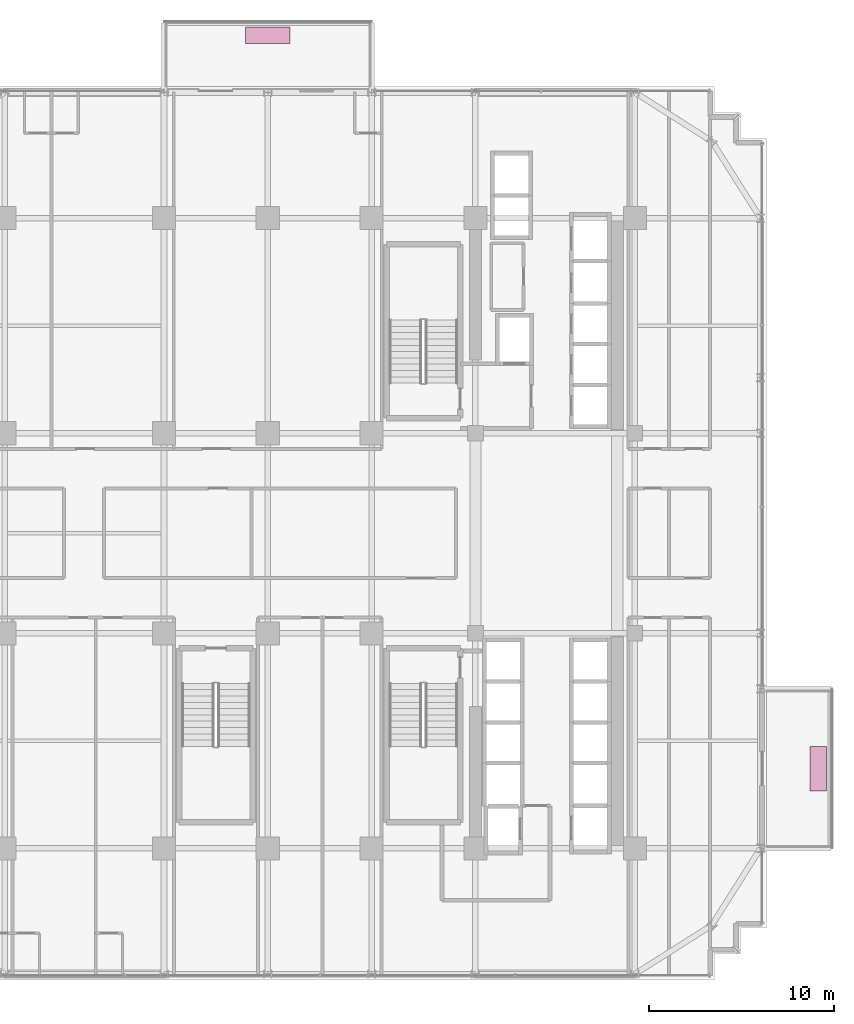
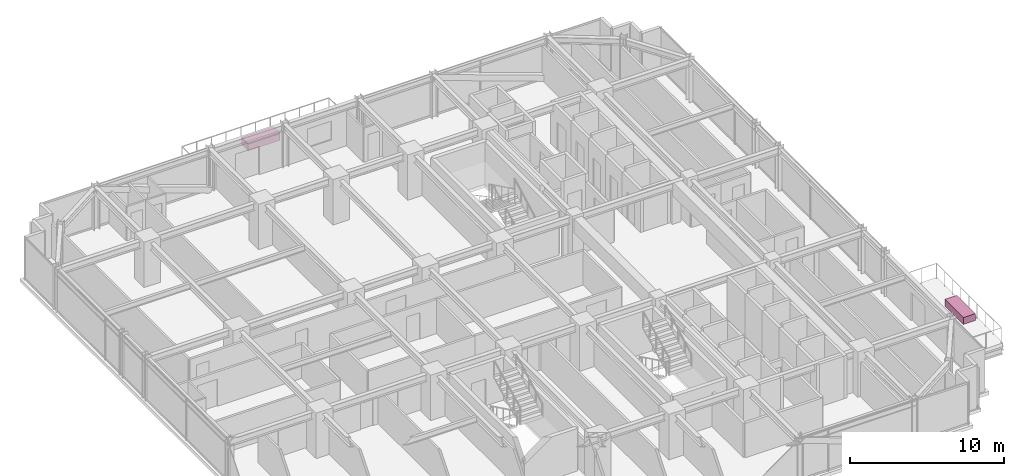
# One storey, part 41 of 41: 2 furnishings.
"""IFC4 building model written with IfcOpenShell, lengths in metres."""

from ifc_helpers import new_model, si_unit, direction, frame, origin, origin_2d, place, context, subcontext, project, spatial, rectangle, extrude, source, transform, mapped, material, type_object, element, save


model = new_model("IFC4")

# Units and contexts
model_context = context("Model", 3, precision=1e-05, world=origin(), true_north=direction((0.0, 1.0)))
body_context = subcontext(model_context, "Body", "Model", "MODEL_VIEW")
ifc_project = project(units=[si_unit("LENGTHUNIT", "METRE"), si_unit("AREAUNIT", "SQUARE_METRE"), si_unit("VOLUMEUNIT", "CUBIC_METRE"), si_unit("PLANEANGLEUNIT", "RADIAN"), si_unit("MASSUNIT", "GRAM", prefix="KILO")], contexts=[model_context])

# Site, building, storey
site_placement = place(None, origin())
site = spatial("IfcSite", under=ifc_project, at=site_placement, CompositionType="ELEMENT")
building_placement = place(site_placement, origin())
building = spatial("IfcBuilding", under=site, at=building_placement, Name="Nahalor Promenade Grand Hotel", CompositionType="ELEMENT")
storey_placement = place(building_placement, frame((0.0, 0.0, 113.85009765625)))
storey = spatial("IfcBuildingStorey", under=building, at=storey_placement, Name="L28", CompositionType="ELEMENT", Elevation=113.85009765625)

# Furnishings
ifc_material = material(Name="Vegetated Volcanic-Lapilli Tree Planter", Category="earth")
furnishing_element_type = type_object("IfcFurnishingElementType", Name="Planter-VerticalForest-Box", material=ifc_material)
shared_shape = source(origin(), body_context, "Body", "SweptSolid", [
    extrude(rectangle(XDim=2.39990234375, YDim=0.89990234375, at=origin_2d()), origin(), (0.0, 0.0, 1.0), 0.550048828125),
])
for number, where, z_axis, x_axis, name in (
    (1, (-2.800048828125, 26.8701171875, 0.0), (0.0, 0.0, 1.0), (1.0, 0.0, 0.0), "L28 Balcony Structural Tree Planter 1"),
    (2, (26.89990234375, -12.699951171875, 0.0), (0.0, 0.0, 1.0), (0.0, 1.0, 0.0), "L28 Balcony Structural Tree Planter 2"),
):
    element("IfcFurnishingElement", number, at=place(storey_placement, frame(where, z_axis=z_axis, x_axis=x_axis)), inside=storey, type_object=furnishing_element_type, Name=name, ObjectType="PLANTER", context=body_context, shape_type="MappedRepresentation", body=[
        mapped(shared_shape, transform((0.0, 0.0, 0.0), scale=1.0)),
    ])

save(model, "model.ifc")
